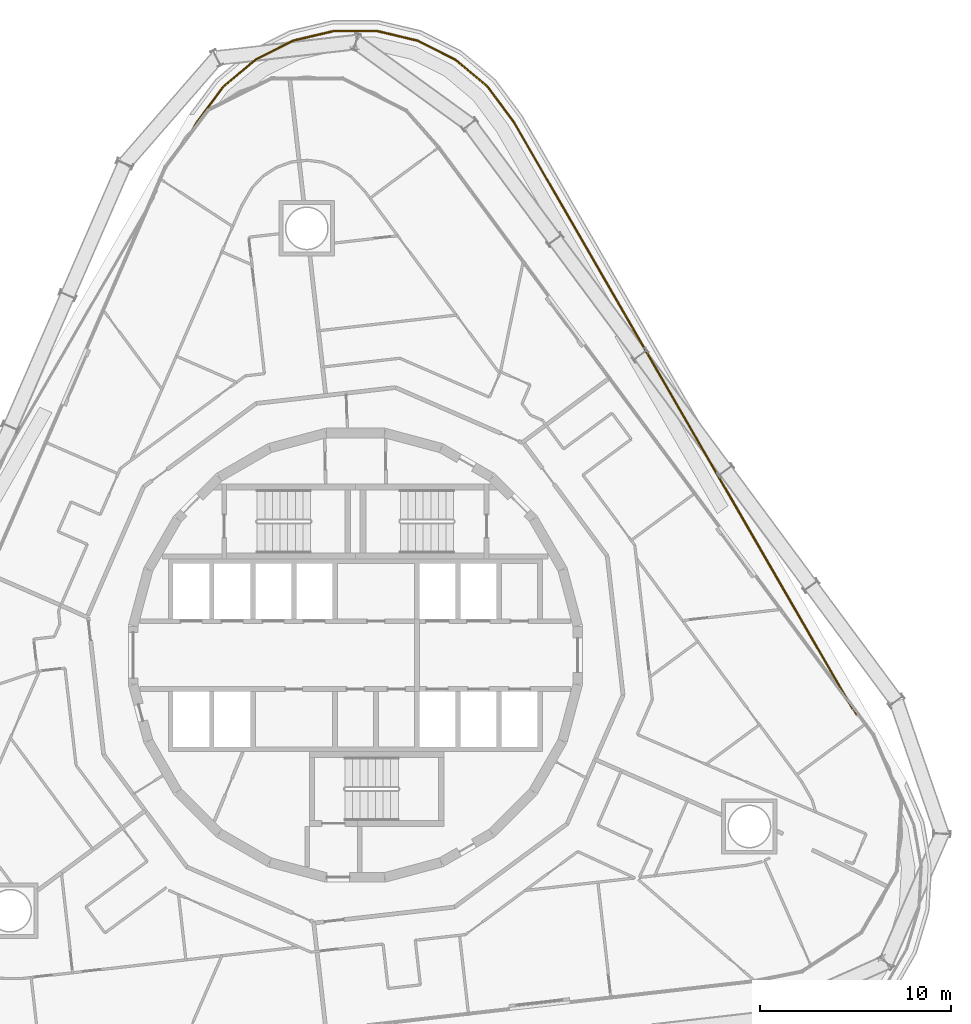
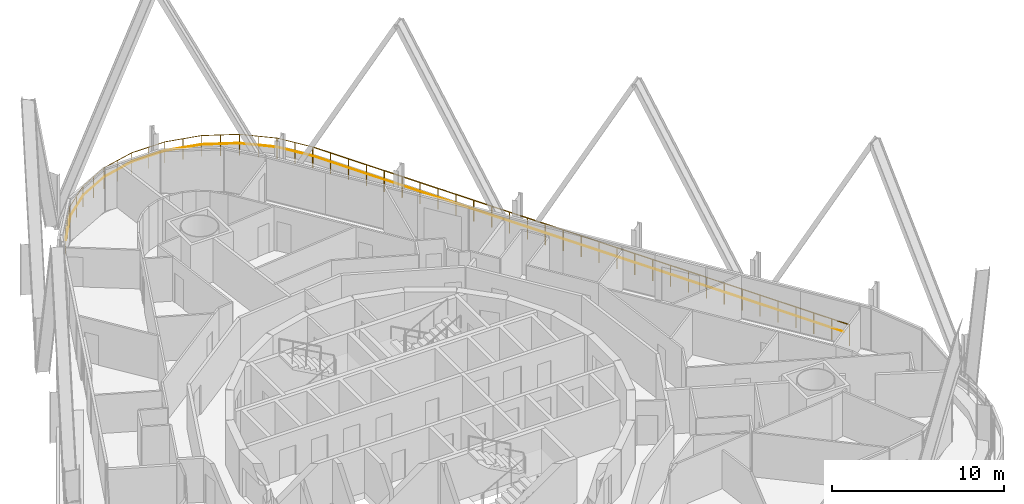
# One storey, part 28 of 32: 4 railings.
"""IFC4 building model written with IfcOpenShell, lengths in metres."""

from ifc_helpers import new_model, si_unit, direction, frame, origin, origin_2d, place, context, subcontext, project, spatial, circle, extrude, material, type_object, element, save


model = new_model("IFC4")

# Units and contexts
model_context = context("Model", 3, precision=1e-05, world=origin(), true_north=direction((0.0, 1.0)))
body_context = subcontext(model_context, "Body", "Model", "MODEL_VIEW")
ifc_project = project(units=[si_unit("LENGTHUNIT", "METRE"), si_unit("AREAUNIT", "SQUARE_METRE"), si_unit("VOLUMEUNIT", "CUBIC_METRE"), si_unit("PLANEANGLEUNIT", "RADIAN"), si_unit("MASSUNIT", "GRAM", prefix="KILO")], contexts=[model_context])

# Site, building, storey
site_placement = place(None, origin())
site = spatial("IfcSite", under=ifc_project, at=site_placement, CompositionType="ELEMENT")
building_placement = place(site_placement, origin())
building = spatial("IfcBuilding", under=site, at=building_placement, Name="Spindle Arch Residences", CompositionType="ELEMENT")
storey_placement = place(building_placement, frame((0.0, 0.0, 76.699951171875)))
storey = spatial("IfcBuildingStorey", under=building, at=storey_placement, Name="L17", CompositionType="ELEMENT", Elevation=76.699951171875)

# Railings
ifc_material_1 = material(Name="Bronze anodised aluminium guard with glass infill", Category="aluminium")
railing_type_1 = type_object("IfcRailingType", Name="Terrace guard 1500", PredefinedType="GUARDRAIL", material=ifc_material_1)
railing_1_placement = place(storey_placement, frame((-8.521240234375, 27.619873046875, 0.030029296875)))
element("IfcRailing", 1, at=railing_1_placement, inside=storey, type_object=railing_type_1, Name="Terrace guard L16 6", PredefinedType="GUARDRAIL", context=body_context, shape_type="SweptSolid", body=[
    extrude(circle(Radius=0.02392578125, at=origin_2d()), frame((0.0, 0.0, 1.47607421875), z_axis=(0.719401460617, -0.6945945137, 0.0), x_axis=(0.6945945137, 0.719401460617, 0.0)), (0.0, 0.0, 1.0), 0.009765625),
    extrude(circle(Radius=0.02392578125, at=origin_2d()), frame((0.007080078125, -0.0068359375, 1.47607421875), z_axis=(0.500063042646, 0.865989003036, 0.0), x_axis=(-0.865989003036, 0.500063042646, 0.0)), (0.0, 0.0, 1.0), 0.455078125),
    extrude(circle(Radius=0.02392578125, at=origin_2d()), frame((0.234619140625, 0.38720703125, 1.47607421875), z_axis=(0.597217110342, 0.802079623924, 0.0), x_axis=(-0.802079623924, 0.597217110342, 0.0)), (0.0, 0.0, 1.0), 2.248779296875),
    extrude(circle(Radius=0.02392578125, at=origin_2d()), frame((1.57763671875, 2.19091796875, 1.47607421875), z_axis=(0.765995562474, 0.642845858873, 0.0), x_axis=(-0.642845858873, 0.765995562474, 0.0)), (0.0, 0.0, 1.0), 2.21630859375),
    extrude(circle(Radius=0.02392578125, at=origin_2d()), frame((3.275390625, 3.61572265625, 1.47607421875), z_axis=(0.893632815242, 0.448798831909, 0.0), x_axis=(-0.448798831909, 0.893632815242, 0.0)), (0.0, 0.0, 1.0), 2.216796875),
    extrude(circle(Radius=0.02392578125, at=origin_2d()), frame((5.25634765625, 4.610595703125, 1.47607421875), z_axis=(0.973062082676, 0.230543235119, 0.0), x_axis=(-0.230543235119, 0.973062082676, 0.0)), (0.0, 0.0, 1.0), 2.216552734375),
    extrude(circle(Radius=0.02392578125, at=origin_2d()), frame((7.4130859375, 5.12158203125, 1.47607421875), z_axis=(1.0, 0.0, 0.0), x_axis=(0.0, 1.0, 0.0)), (0.0, 0.0, 1.0), 2.21630859375),
    extrude(circle(Radius=0.02392578125, at=origin_2d()), frame((9.62939453125, 5.12158203125, 1.47607421875), z_axis=(0.973062082676, -0.230543235119, 0.0), x_axis=(0.230543235119, 0.973062082676, 0.0)), (0.0, 0.0, 1.0), 2.216552734375),
    extrude(circle(Radius=0.02392578125, at=origin_2d()), frame((11.7861328125, 4.610595703125, 1.47607421875), z_axis=(0.893632815242, -0.448798831909, 0.0), x_axis=(0.448798831909, 0.893632815242, 0.0)), (0.0, 0.0, 1.0), 2.216796875),
    extrude(circle(Radius=0.02392578125, at=origin_2d()), frame((13.76708984375, 3.61572265625, 1.47607421875), z_axis=(0.765995562474, -0.642845858873, 0.0), x_axis=(0.642845858873, 0.765995562474, 0.0)), (0.0, 0.0, 1.0), 2.21630859375),
    extrude(circle(Radius=0.02392578125, at=origin_2d()), frame((15.46484375, 2.19091796875, 1.47607421875), z_axis=(0.597217110342, -0.802079623924, 0.0), x_axis=(0.802079623924, 0.597217110342, 0.0)), (0.0, 0.0, 1.0), 2.248779296875),
    extrude(circle(Radius=0.02099609375, at=origin_2d()), origin(), (0.0, 0.0, 1.0), 1.451904296875),
    extrude(circle(Radius=0.02099609375, at=origin_2d()), frame((0.007080078125, -0.0068359375, 0.0)), (0.0, 0.0, 1.0), 1.451904296875),
    extrude(circle(Radius=0.02099609375, at=origin_2d()), frame((0.234619140625, 0.38720703125, 0.0)), (0.0, 0.0, 1.0), 1.451904296875),
    extrude(circle(Radius=0.02099609375, at=origin_2d()), frame((0.90625, 1.2890625, 0.0)), (0.0, 0.0, 1.0), 1.451904296875),
    extrude(circle(Radius=0.02099609375, at=origin_2d()), frame((1.57763671875, 2.19091796875, 0.0)), (0.0, 0.0, 1.0), 1.451904296875),
    extrude(circle(Radius=0.02099609375, at=origin_2d()), frame((2.426513671875, 2.9033203125, 0.0)), (0.0, 0.0, 1.0), 1.451904296875),
    extrude(circle(Radius=0.02099609375, at=origin_2d()), frame((3.275390625, 3.61572265625, 0.0)), (0.0, 0.0, 1.0), 1.451904296875),
    extrude(circle(Radius=0.02099609375, at=origin_2d()), frame((4.265869140625, 4.11328125, 0.0)), (0.0, 0.0, 1.0), 1.451904296875),
    extrude(circle(Radius=0.02099609375, at=origin_2d()), frame((5.25634765625, 4.610595703125, 0.0)), (0.0, 0.0, 1.0), 1.451904296875),
    extrude(circle(Radius=0.02099609375, at=origin_2d()), frame((6.334716796875, 4.8662109375, 0.0)), (0.0, 0.0, 1.0), 1.451904296875),
    extrude(circle(Radius=0.02099609375, at=origin_2d()), frame((7.4130859375, 5.12158203125, 0.0)), (0.0, 0.0, 1.0), 1.451904296875),
    extrude(circle(Radius=0.02099609375, at=origin_2d()), frame((8.521240234375, 5.12158203125, 0.0)), (0.0, 0.0, 1.0), 1.451904296875),
    extrude(circle(Radius=0.02099609375, at=origin_2d()), frame((9.62939453125, 5.12158203125, 0.0)), (0.0, 0.0, 1.0), 1.451904296875),
    extrude(circle(Radius=0.02099609375, at=origin_2d()), frame((10.707763671875, 4.8662109375, 0.0)), (0.0, 0.0, 1.0), 1.451904296875),
    extrude(circle(Radius=0.02099609375, at=origin_2d()), frame((11.7861328125, 4.610595703125, 0.0)), (0.0, 0.0, 1.0), 1.451904296875),
    extrude(circle(Radius=0.02099609375, at=origin_2d()), frame((12.776611328125, 4.11328125, 0.0)), (0.0, 0.0, 1.0), 1.451904296875),
    extrude(circle(Radius=0.02099609375, at=origin_2d()), frame((13.76708984375, 3.61572265625, 0.0)), (0.0, 0.0, 1.0), 1.451904296875),
    extrude(circle(Radius=0.02099609375, at=origin_2d()), frame((14.615966796875, 2.9033203125, 0.0)), (0.0, 0.0, 1.0), 1.451904296875),
    extrude(circle(Radius=0.02099609375, at=origin_2d()), frame((15.46484375, 2.19091796875, 0.0)), (0.0, 0.0, 1.0), 1.451904296875),
    extrude(circle(Radius=0.02099609375, at=origin_2d()), frame((16.13623046875, 1.2890625, 0.0)), (0.0, 0.0, 1.0), 1.451904296875),
    extrude(circle(Radius=0.02099609375, at=origin_2d()), frame((16.807861328125, 0.38720703125, 0.0)), (0.0, 0.0, 1.0), 1.451904296875),
])
railing_2_placement = place(storey_placement, frame((8.28662109375, 28.007080078125, 0.030029296875)))
element("IfcRailing", 2, at=railing_2_placement, inside=storey, type_object=railing_type_1, Name="Terrace guard L16 7", PredefinedType="GUARDRAIL", context=body_context, shape_type="SweptSolid", body=[
    extrude(circle(Radius=0.02392578125, at=origin_2d()), frame((0.0, 0.0, 1.47607421875), z_axis=(0.500000481159, -0.866025125987, 0.0), x_axis=(0.866025125987, 0.500000481159, 0.0)), (0.0, 0.0, 1.0), 35.97900390625),
    extrude(circle(Radius=0.02099609375, at=origin_2d()), origin(), (0.0, 0.0, 1.0), 1.451904296875),
    extrude(circle(Radius=0.02099609375, at=origin_2d()), frame((0.599609375, -1.03857421875, 0.0)), (0.0, 0.0, 1.0), 1.451904296875),
    extrude(circle(Radius=0.02099609375, at=origin_2d()), frame((1.19921875, -2.0771484375, 0.0)), (0.0, 0.0, 1.0), 1.451904296875),
    extrude(circle(Radius=0.02099609375, at=origin_2d()), frame((1.798828125, -3.115966796875, 0.0)), (0.0, 0.0, 1.0), 1.451904296875),
    extrude(circle(Radius=0.02099609375, at=origin_2d()), frame((2.398681640625, -4.154541015625, 0.0)), (0.0, 0.0, 1.0), 1.451904296875),
    extrude(circle(Radius=0.02099609375, at=origin_2d()), frame((2.998291015625, -5.193115234375, 0.0)), (0.0, 0.0, 1.0), 1.451904296875),
    extrude(circle(Radius=0.02099609375, at=origin_2d()), frame((3.597900390625, -6.231689453125, 0.0)), (0.0, 0.0, 1.0), 1.451904296875),
    extrude(circle(Radius=0.02099609375, at=origin_2d()), frame((4.197509765625, -7.270263671875, 0.0)), (0.0, 0.0, 1.0), 1.451904296875),
    extrude(circle(Radius=0.02099609375, at=origin_2d()), frame((4.797119140625, -8.30908203125, 0.0)), (0.0, 0.0, 1.0), 1.451904296875),
    extrude(circle(Radius=0.02099609375, at=origin_2d()), frame((5.39697265625, -9.34765625, 0.0)), (0.0, 0.0, 1.0), 1.451904296875),
    extrude(circle(Radius=0.02099609375, at=origin_2d()), frame((5.99658203125, -10.38623046875, 0.0)), (0.0, 0.0, 1.0), 1.451904296875),
    extrude(circle(Radius=0.02099609375, at=origin_2d()), frame((6.59619140625, -11.4248046875, 0.0)), (0.0, 0.0, 1.0), 1.451904296875),
    extrude(circle(Radius=0.02099609375, at=origin_2d()), frame((7.19580078125, -12.46337890625, 0.0)), (0.0, 0.0, 1.0), 1.451904296875),
    extrude(circle(Radius=0.02099609375, at=origin_2d()), frame((7.79541015625, -13.502197265625, 0.0)), (0.0, 0.0, 1.0), 1.451904296875),
    extrude(circle(Radius=0.02099609375, at=origin_2d()), frame((8.39501953125, -14.540771484375, 0.0)), (0.0, 0.0, 1.0), 1.451904296875),
    extrude(circle(Radius=0.02099609375, at=origin_2d()), frame((8.99462890625, -15.579345703125, 0.0)), (0.0, 0.0, 1.0), 1.451904296875),
    extrude(circle(Radius=0.02099609375, at=origin_2d()), frame((9.594482421875, -16.617919921875, 0.0)), (0.0, 0.0, 1.0), 1.451904296875),
    extrude(circle(Radius=0.02099609375, at=origin_2d()), frame((10.194091796875, -17.656494140625, 0.0)), (0.0, 0.0, 1.0), 1.451904296875),
    extrude(circle(Radius=0.02099609375, at=origin_2d()), frame((10.793701171875, -18.6953125, 0.0)), (0.0, 0.0, 1.0), 1.451904296875),
    extrude(circle(Radius=0.02099609375, at=origin_2d()), frame((11.393310546875, -19.73388671875, 0.0)), (0.0, 0.0, 1.0), 1.451904296875),
    extrude(circle(Radius=0.02099609375, at=origin_2d()), frame((11.992919921875, -20.7724609375, 0.0)), (0.0, 0.0, 1.0), 1.451904296875),
    extrude(circle(Radius=0.02099609375, at=origin_2d()), frame((12.5927734375, -21.81103515625, 0.0)), (0.0, 0.0, 1.0), 1.451904296875),
    extrude(circle(Radius=0.02099609375, at=origin_2d()), frame((13.1923828125, -22.849609375, 0.0)), (0.0, 0.0, 1.0), 1.451904296875),
    extrude(circle(Radius=0.02099609375, at=origin_2d()), frame((13.7919921875, -23.888427734375, 0.0)), (0.0, 0.0, 1.0), 1.451904296875),
    extrude(circle(Radius=0.02099609375, at=origin_2d()), frame((14.3916015625, -24.927001953125, 0.0)), (0.0, 0.0, 1.0), 1.451904296875),
    extrude(circle(Radius=0.02099609375, at=origin_2d()), frame((14.9912109375, -25.965576171875, 0.0)), (0.0, 0.0, 1.0), 1.451904296875),
    extrude(circle(Radius=0.02099609375, at=origin_2d()), frame((15.5908203125, -27.004150390625, 0.0)), (0.0, 0.0, 1.0), 1.451904296875),
    extrude(circle(Radius=0.02099609375, at=origin_2d()), frame((16.1904296875, -28.042724609375, 0.0)), (0.0, 0.0, 1.0), 1.451904296875),
    extrude(circle(Radius=0.02099609375, at=origin_2d()), frame((16.790283203125, -29.08154296875, 0.0)), (0.0, 0.0, 1.0), 1.451904296875),
    extrude(circle(Radius=0.02099609375, at=origin_2d()), frame((17.389892578125, -30.1201171875, 0.0)), (0.0, 0.0, 1.0), 1.451904296875),
    extrude(circle(Radius=0.02099609375, at=origin_2d()), frame((17.989501953125, -31.15869140625, 0.0)), (0.0, 0.0, 1.0), 1.451904296875),
])
ifc_material_2 = material(Name="Bronze anodised aluminium handrail", Category="aluminium")
railing_type_2 = type_object("IfcRailingType", Name="Terrace handrail 900", PredefinedType="HANDRAIL", material=ifc_material_2)
railing_3_placement = place(storey_placement, frame((-8.3974609375, 27.75048828125, 0.030029296875)))
element("IfcRailing", 3, at=railing_3_placement, inside=storey, type_object=railing_type_2, Name="Terrace handrail L16 6", PredefinedType="HANDRAIL", context=body_context, shape_type="SweptSolid", body=[
    extrude(circle(Radius=0.02392578125, at=origin_2d()), frame((0.0, 0.0, 0.8759765625), z_axis=(0.718988376049, -0.695022096847, 0.0), x_axis=(0.695022096847, 0.718988376049, 0.0)), (0.0, 0.0, 1.0), 0.01025390625),
    extrude(circle(Radius=0.02392578125, at=origin_2d()), frame((0.00732421875, -0.007080078125, 0.8759765625), z_axis=(0.499544789918, 0.866288059981, 0.0), x_axis=(-0.866288059981, 0.499544789918, 0.0)), (0.0, 0.0, 1.0), 0.277587890625),
    extrude(circle(Radius=0.02392578125, at=origin_2d()), frame((0.14599609375, 0.2333984375, 0.8759765625), z_axis=(0.597208005162, 0.802086403432, 0.0), x_axis=(-0.802086403432, 0.597208005162, 0.0)), (0.0, 0.0, 1.0), 2.241455078125),
    extrude(circle(Radius=0.02392578125, at=origin_2d()), frame((1.484619140625, 2.03125, 0.8759765625), z_axis=(0.766040403404, 0.642792424, 0.0), x_axis=(-0.642792424, 0.766040403404, 0.0)), (0.0, 0.0, 1.0), 2.206787109375),
    extrude(circle(Radius=0.02392578125, at=origin_2d()), frame((3.175048828125, 3.44970703125, 0.8759765625), z_axis=(0.893606985794, 0.448850258929, 0.0), x_axis=(-0.448850258929, 0.893606985794, 0.0)), (0.0, 0.0, 1.0), 2.206787109375),
    extrude(circle(Radius=0.02392578125, at=origin_2d()), frame((5.14697265625, 4.440185546875, 0.8759765625), z_axis=(0.973056123284, 0.230568386688, 0.0), x_axis=(-0.230568386688, 0.973056123284, 0.0)), (0.0, 0.0, 1.0), 2.206787109375),
    extrude(circle(Radius=0.02392578125, at=origin_2d()), frame((7.294189453125, 4.948974609375, 0.8759765625), z_axis=(1.0, 0.0, 0.0), x_axis=(0.0, 1.0, 0.0)), (0.0, 0.0, 1.0), 2.20654296875),
    extrude(circle(Radius=0.02392578125, at=origin_2d()), frame((9.500732421875, 4.948974609375, 0.8759765625), z_axis=(0.973056123284, -0.230568386688, 0.0), x_axis=(0.230568386688, 0.973056123284, 0.0)), (0.0, 0.0, 1.0), 2.206787109375),
    extrude(circle(Radius=0.02392578125, at=origin_2d()), frame((11.64794921875, 4.440185546875, 0.8759765625), z_axis=(0.893606985794, -0.448850258929, 0.0), x_axis=(0.448850258929, 0.893606985794, 0.0)), (0.0, 0.0, 1.0), 2.206787109375),
    extrude(circle(Radius=0.02392578125, at=origin_2d()), frame((13.619873046875, 3.44970703125, 0.8759765625), z_axis=(0.766040403404, -0.642792424, 0.0), x_axis=(0.642792424, 0.766040403404, 0.0)), (0.0, 0.0, 1.0), 2.206787109375),
    extrude(circle(Radius=0.02392578125, at=origin_2d()), frame((15.310302734375, 2.03125, 0.8759765625), z_axis=(0.597208005162, -0.802086403432, 0.0), x_axis=(0.802086403432, 0.597208005162, 0.0)), (0.0, 0.0, 1.0), 2.241455078125),
])
railing_4_placement = place(storey_placement, frame((8.25146484375, 27.98388671875, 0.030029296875)))
element("IfcRailing", 4, at=railing_4_placement, inside=storey, type_object=railing_type_2, Name="Terrace handrail L16 7", PredefinedType="HANDRAIL", context=body_context, shape_type="SweptSolid", body=[
    extrude(circle(Radius=0.02392578125, at=origin_2d()), frame((0.0, 0.0, 0.8759765625), z_axis=(0.499999421488, -0.866025737788, 0.0), x_axis=(0.866025737788, 0.499999421488, 0.0)), (0.0, 0.0, 1.0), 35.60791015625),
])

save(model, "model.ifc")
